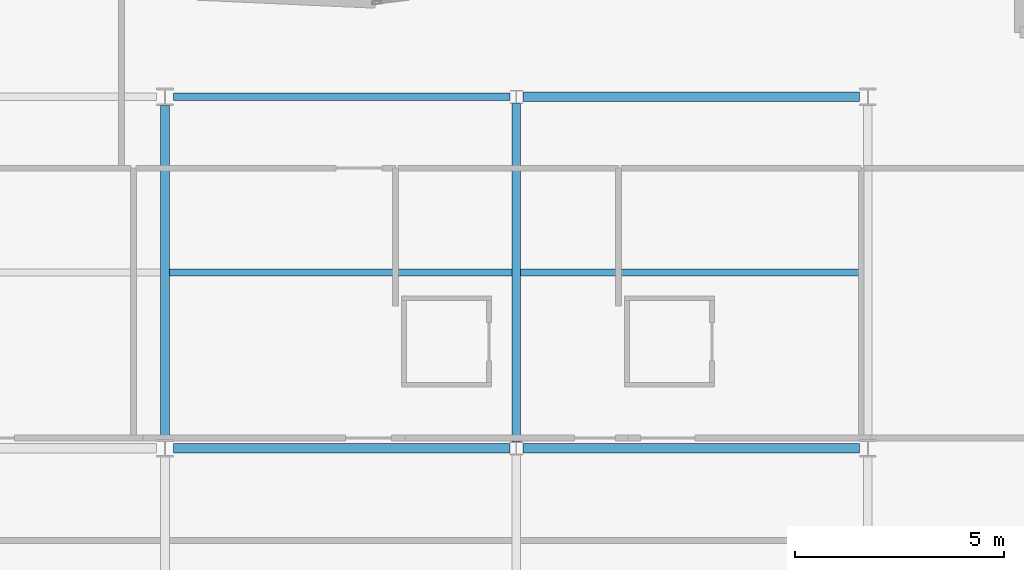
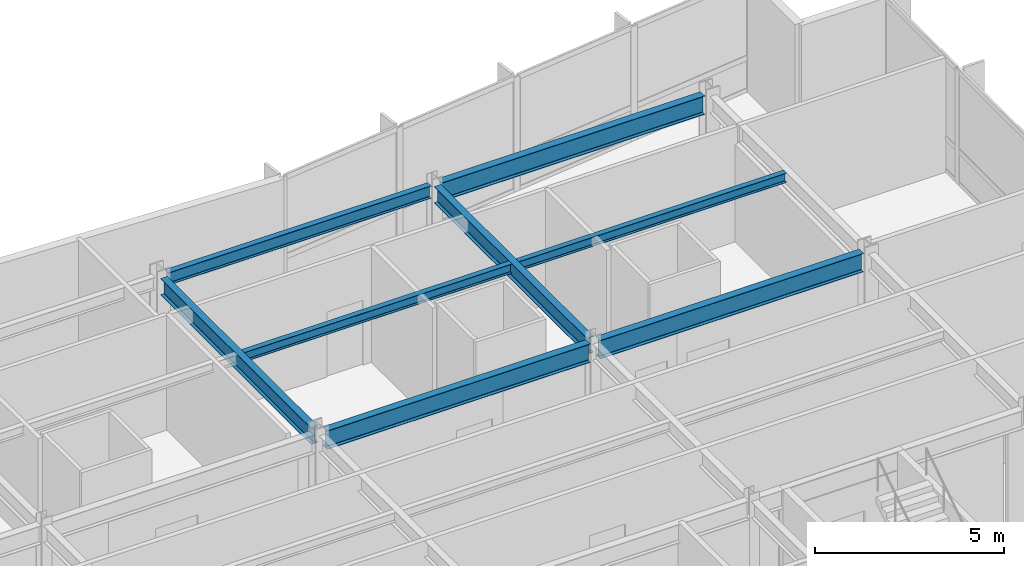
# One storey, part 6 of 17: 8 beams.
"""IFC4 building model written with IfcOpenShell, lengths in metres."""

from ifc_helpers import new_model, si_unit, direction, frame, origin, origin_2d, place, context, subcontext, project, spatial, i_section, extrude, material, material_profile, profile_set, type_object, element, save


model = new_model("IFC4")

# Units and contexts
model_context = context("Model", 3, precision=1e-05, world=origin(), true_north=direction((0.0, 1.0)))
body_context = subcontext(model_context, "Body", "Model", "MODEL_VIEW")
ifc_project = project(units=[si_unit("LENGTHUNIT", "METRE"), si_unit("AREAUNIT", "SQUARE_METRE"), si_unit("VOLUMEUNIT", "CUBIC_METRE"), si_unit("PLANEANGLEUNIT", "RADIAN"), si_unit("MASSUNIT", "GRAM", prefix="KILO")], contexts=[model_context])

# Site, building, storey
site_placement = place(None, origin())
site = spatial("IfcSite", under=ifc_project, at=site_placement, CompositionType="ELEMENT")
building_placement = place(site_placement, origin())
building = spatial("IfcBuilding", under=site, at=building_placement, Name="Varnakote Quay Hospital", CompositionType="ELEMENT")
storey_placement = place(building_placement, frame((0.0, 0.0, 146.800048828125)))
storey = spatial("IfcBuildingStorey", under=building, at=storey_placement, Name="L36", CompositionType="ELEMENT", Elevation=146.800048828125)

# Beams
ifc_material_1 = material(Name="Structural steel AS/NZS 3679.1 Grade 350 L0 (fy 340 MPa)", Category="steel")
ifc_material_profile_1 = material_profile(ifc_material_1, i_section(OverallWidth=0.208984375, OverallDepth=0.532958984375, WebThickness=0.01025390625, FlangeThickness=0.015625, FilletRadius=0.013916015625, at=origin_2d()), Name="530UB92.4")
ifc_profile_set_1 = profile_set([ifc_material_profile_1], Name="Structural steel AS/NZS 3679.1 Grade 350 L0 (fy 340 MPa)")
beam_type_1 = type_object("IfcBeamType", Name="BM-STL-530UB92-4", PredefinedType="BEAM", material=ifc_profile_set_1)
beam_1_placement = place(storey_placement, frame((33.60009765625, 20.610107421875, 3.443359375), z_axis=(0.0, 1.0, 0.0), x_axis=(-1.0, 0.0, 0.0)))
element("IfcBeam", 1, at=beam_1_placement, inside=storey, type_object=beam_type_1, Name="L36 Primary Tie Beam", PredefinedType="BEAM", context=body_context, shape_type="SweptSolid", body=[
    extrude(i_section(OverallWidth=0.208984375, OverallDepth=0.532958984375, WebThickness=0.01025390625, FlangeThickness=0.015625, FilletRadius=0.013916015625, at=origin_2d()), origin(), (0.0, 0.0, 1.0), 7.97998046875),
])
beam_2_placement = place(storey_placement, frame((42.0, 20.5576171875, 3.443359375), z_axis=(0.0, 1.0, 0.0), x_axis=(-1.0, 0.0, 0.0)))
element("IfcBeam", 2, at=beam_2_placement, inside=storey, type_object=beam_type_1, Name="L36 Primary Tie Beam", PredefinedType="BEAM", context=body_context, shape_type="SweptSolid", body=[
    extrude(i_section(OverallWidth=0.208984375, OverallDepth=0.532958984375, WebThickness=0.01025390625, FlangeThickness=0.015625, FilletRadius=0.013916015625, at=origin_2d()), origin(), (0.0, 0.0, 1.0), 8.0849609375),
])
ifc_material_2 = material(Name="Structural steel AS/NZS 3679.1 Grade 350 L0 (fy 340 MPa)", Category="steel")
ifc_material_profile_2 = material_profile(ifc_material_2, i_section(OverallWidth=0.22802734375, OverallDepth=0.60205078125, WebThickness=0.010498046875, FlangeThickness=0.014892578125, FilletRadius=0.013916015625, at=origin_2d()), Name="610UB101")
ifc_profile_set_2 = profile_set([ifc_material_profile_2], Name="Structural steel AS/NZS 3679.1 Grade 350 L0 (fy 340 MPa)")
beam_type_2 = type_object("IfcBeamType", Name="BM-STL-610UB101", PredefinedType="BEAM", material=ifc_profile_set_2)
for number, where, z_axis, x_axis, name in (
    (3, (33.800048828125, 20.39990234375, 3.408935546875), (1.0, 0.0, 0.0), (0.0, 1.0, 0.0), "L36 Primary Floor Beam"),
    (4, (42.153564453125, 20.39990234375, 3.408935546875), (1.0, 0.0, 0.0), (0.0, 1.0, 0.0), "L36 Primary Floor Beam"),
    (5, (42.153564453125, 28.800048828125, 3.408935546875), (1.0, 0.0, 0.0), (0.0, 1.0, 0.0), "L36 Primary Floor Beam"),
):
    element("IfcBeam", number, at=place(storey_placement, frame(where, z_axis=z_axis, x_axis=x_axis)), inside=storey, type_object=beam_type_2, Name=name, PredefinedType="BEAM", context=body_context, shape_type="SweptSolid", body=[
        extrude(i_section(OverallWidth=0.22802734375, OverallDepth=0.60205078125, WebThickness=0.010498046875, FlangeThickness=0.014892578125, FilletRadius=0.013916015625, at=origin_2d()), origin(), (0.0, 0.0, 1.0), 8.04638671875),
    ])
ifc_material_3 = material(Name="Structural steel AS/NZS 3679.1 Grade 350 L0 (fy 340 MPa)", Category="steel")
ifc_material_profile_3 = material_profile(ifc_material_3, i_section(OverallWidth=0.166015625, OverallDepth=0.306884765625, WebThickness=0.006591796875, FlangeThickness=0.01171875, FilletRadius=0.011474609375, at=origin_2d()), Name="310UB46.2")
ifc_profile_set_3 = profile_set([ifc_material_profile_3], Name="Structural steel AS/NZS 3679.1 Grade 350 L0 (fy 340 MPa)")
beam_type_3 = type_object("IfcBeamType", Name="JST-STL-310UB46-2", PredefinedType="JOIST", material=ifc_profile_set_3)
for number, where, z_axis, x_axis, name in (
    (6, (33.70458984375, 24.60009765625, 3.556396484375), (1.0, 0.0, 0.0), (0.0, 1.0, 0.0), "L36 Composite Floor Joist"),
    (7, (42.1044921875, 24.60009765625, 3.556396484375), (1.0, 0.0, 0.0), (0.0, 1.0, 0.0), "L36 Composite Floor Joist"),
):
    element("IfcBeam", number, at=place(storey_placement, frame(where, z_axis=z_axis, x_axis=x_axis)), inside=storey, type_object=beam_type_3, Name=name, PredefinedType="JOIST", context=body_context, shape_type="SweptSolid", body=[
        extrude(i_section(OverallWidth=0.166015625, OverallDepth=0.306884765625, WebThickness=0.006591796875, FlangeThickness=0.01171875, FilletRadius=0.011474609375, at=origin_2d()), origin(), (0.0, 0.0, 1.0), 8.19091796875),
    ])
ifc_material_4 = material(Name="Structural steel AS/NZS 3679.1 Grade 350 L0 (fy 340 MPa)", Category="steel")
ifc_material_profile_4 = material_profile(ifc_material_4, i_section(OverallWidth=0.177978515625, OverallDepth=0.406005859375, WebThickness=0.0078125, FlangeThickness=0.0126953125, FilletRadius=0.011474609375, at=origin_2d()), Name="410UB59.7")
ifc_profile_set_4 = profile_set([ifc_material_profile_4], Name="Structural steel AS/NZS 3679.1 Grade 350 L0 (fy 340 MPa)")
beam_type_4 = type_object("IfcBeamType", Name="SPN-STL-410UB59-7", PredefinedType="SPANDREL", material=ifc_profile_set_4)
beam_3_placement = place(storey_placement, frame((33.800048828125, 28.800048828125, 3.5068359375), z_axis=(1.0, 0.0, 0.0), x_axis=(0.0, 1.0, 0.0)))
element("IfcBeam", 8, at=beam_3_placement, inside=storey, type_object=beam_type_4, Name="L36 Perimeter Spandrel Beam", PredefinedType="SPANDREL", context=body_context, shape_type="SweptSolid", body=[
    extrude(i_section(OverallWidth=0.177978515625, OverallDepth=0.406005859375, WebThickness=0.0078125, FlangeThickness=0.0126953125, FilletRadius=0.011474609375, at=origin_2d()), origin(), (0.0, 0.0, 1.0), 8.04638671875),
])

save(model, "model.ifc")
